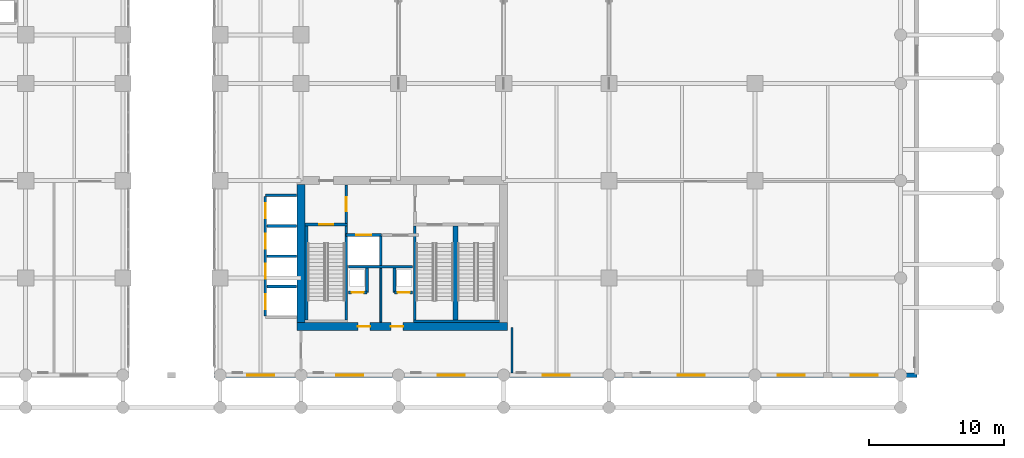
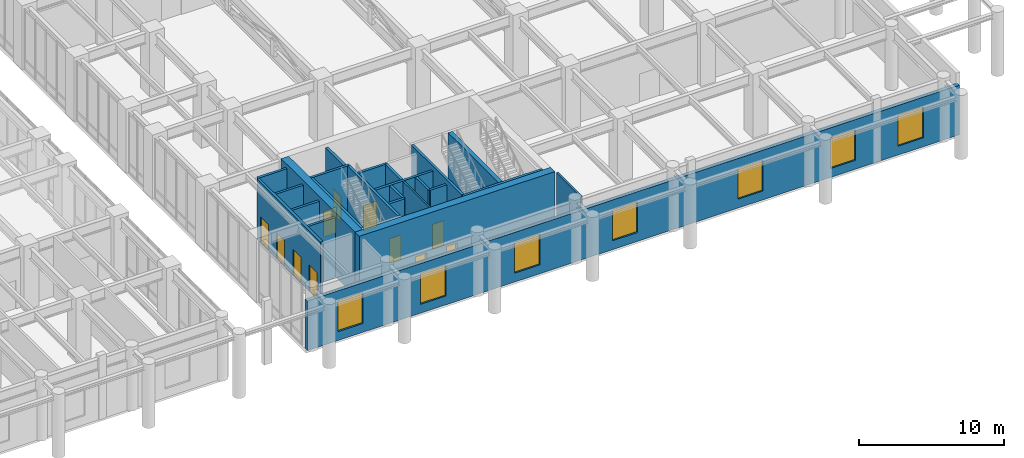
# One storey, part 17 of 24: 24 walls, 11 doors, 7 windows, 18 openings.
"""IFC4 building model written with IfcOpenShell, lengths in metres."""

from ifc_helpers import new_model, si_unit, derived_unit, direction, frame, frame_2d, origin, place, context, subcontext, project, spatial, rectangle, extrude, source, transform, mapped, material, layer, layer_set, type_object, type_shapes, element, fill, save


model = new_model("IFC4")

# Units and contexts
model_context = context("Model", 3, precision=1e-05, world=origin(), true_north=direction((0.0, 1.0)))
body_context = subcontext(model_context, "Body", "Model", "MODEL_VIEW")
ifc_project = project(units=[si_unit("LENGTHUNIT", "METRE"), si_unit("AREAUNIT", "SQUARE_METRE"), si_unit("VOLUMEUNIT", "CUBIC_METRE"), si_unit("PLANEANGLEUNIT", "RADIAN"), si_unit("MASSUNIT", "GRAM", prefix="KILO"), si_unit("THERMODYNAMICTEMPERATUREUNIT", "KELVIN"), si_unit("POWERUNIT", "WATT"), derived_unit("THERMALTRANSMITTANCEUNIT", [(si_unit("POWERUNIT", "WATT"), 1), (si_unit("AREAUNIT", "SQUARE_METRE"), -1), (si_unit("THERMODYNAMICTEMPERATUREUNIT", "KELVIN"), -1)])], contexts=[model_context])

# Site, building, storey
site_placement = place(None, origin())
site = spatial("IfcSite", under=ifc_project, at=site_placement, CompositionType="ELEMENT")
building_placement = place(site_placement, origin())
building = spatial("IfcBuilding", under=site, at=building_placement, Name="Zahravan Archway Hotel and Residences", CompositionType="ELEMENT")
storey_placement = place(building_placement, frame((0.0, 0.0, 10.800048828125)))
storey = spatial("IfcBuildingStorey", under=building, at=storey_placement, Name="L02", CompositionType="ELEMENT", Elevation=10.800048828125)

# Wall, openings, doors
ifc_material_1 = material(Name="Concrete C70/85", Category="concrete")
ifc_layer_1 = layer(ifc_material_1, 0.60009765625, Name="Concrete C70/85", Category="concrete")
ifc_layer_set_1 = layer_set([ifc_layer_1], Name="Concrete C70/85")
wall_type_1 = type_object("IfcWallType", Name="CW-CORE-600", PredefinedType="SHEAR", material=ifc_layer_set_1)
wall_1_placement = place(storey_placement, frame((34.5, 3.60009765625, 0.0), z_axis=(0.0, 0.0, 1.0), x_axis=(1.0, 0.0, 0.0)))
wall_1 = element("IfcWall", 1, at=wall_1_placement, inside=storey, type_object=wall_type_1, Name="L02 Core A Shear S Wall 600 mm", PredefinedType="SHEAR", context=body_context, shape_type="SweptSolid", body=[
    extrude(rectangle(XDim=15.60009765625, YDim=0.60009765625, at=frame_2d((7.800048828125, 0.0))), origin(), (0.0, 0.0, 1.0), 5.39990234375),
])
opening_1_placement = place(wall_1_placement, frame((4.5, 0.0, 0.0)))
opening_1 = element("IfcOpeningElement", 2, at=opening_1_placement, cuts=wall_1, Name="Opening FD-R1", PredefinedType="OPENING", context=body_context, shape_type="SweptSolid", body=[
    extrude(rectangle(XDim=0.89990234375, YDim=2.10009765625, at=frame_2d((0.449951171875, 1.050048828125))), frame((0.0, 0.31005859375, 0.0), z_axis=(0.0, -1.0, 0.0), x_axis=(1.0, 0.0, 0.0)), (0.0, 0.0, 1.0), 0.6201171875),
])
opening_2_placement = place(wall_1_placement, frame((6.949951171875, 0.0, 0.0)))
opening_2 = element("IfcOpeningElement", 3, at=opening_2_placement, cuts=wall_1, Name="Opening FD-R1", PredefinedType="OPENING", context=body_context, shape_type="SweptSolid", body=[
    extrude(rectangle(XDim=0.89990234375, YDim=2.10009765625, at=frame_2d((0.449951171875, 1.050048828125))), frame((0.0, 0.31005859375, 0.0), z_axis=(0.0, -1.0, 0.0), x_axis=(1.0, 0.0, 0.0)), (0.0, 0.0, 1.0), 0.6201171875),
])
ifc_material_2 = material(Name="Fire-Rated Painted Steel", Category="steel")
door_type_1 = type_object("IfcDoorType", Name="FD-RISER-900", OperationType="NOTDEFINED", PredefinedType="DOOR", material=ifc_material_2)
shared_shape_1 = source(origin(), body_context, "Body", "SweptSolid", [
    extrude(rectangle(XDim=0.89990234375, YDim=2.10009765625, at=frame_2d((0.449951171875, 1.050048828125))), frame((0.0, 0.02490234375, 0.0), z_axis=(0.0, -1.0, 0.0), x_axis=(1.0, 0.0, 0.0)), (0.0, 0.0, 1.0), 0.050048828125),
])
type_shapes(door_type_1, [shared_shape_1])
door_1_placement = place(opening_1_placement, origin())
door_1 = element("IfcDoor", 4, at=door_1_placement, inside=storey, type_object=door_type_1, Name="L02 Electrical Switchgear Door", OperationType="SINGLE_SWING_LEFT", OverallHeight=2.10009765625, OverallWidth=0.89990234375, PredefinedType="DOOR", context=body_context, shape_type="MappedRepresentation", body=[
    mapped(shared_shape_1, transform((0.0, 0.0, 0.0), scale=1.0)),
])
fill(opening_1, door_1)
door_2_placement = place(opening_2_placement, origin())
door_2 = element("IfcDoor", 5, at=door_2_placement, inside=storey, type_object=door_type_1, Name="L02 Telecom BMS Door", OperationType="SINGLE_SWING_RIGHT", OverallHeight=2.10009765625, OverallWidth=0.89990234375, PredefinedType="DOOR", context=body_context, shape_type="MappedRepresentation", body=[
    mapped(shared_shape_1, transform((0.0, 0.0, 0.0), scale=1.0)),
])
fill(opening_2, door_2)

# Wall
wall_2_placement = place(storey_placement, frame((34.800048828125, 3.89990234375, 0.0), z_axis=(0.0, 0.0, 1.0), x_axis=(0.0, 1.0, 0.0)))
element("IfcWall", 6, at=wall_2_placement, inside=storey, type_object=wall_type_1, Name="L02 Core A Shear W Wall 600 mm", PredefinedType="SHEAR", context=body_context, shape_type="SweptSolid", body=[
    extrude(rectangle(XDim=10.2001953125, YDim=0.60009765625, at=frame_2d((5.10009765625, 0.0))), origin(), (0.0, 0.0, 1.0), 5.39990234375),
])

# Wall, openings, windows
ifc_material_3 = material(Name="Agra Buff Sandstone & Insulated Backup", Category="masonry")
ifc_layer_2 = layer(ifc_material_3, 0.320068359375, Name="Agra Buff Sandstone & Insulated Backup", Category="masonry")
ifc_layer_set_2 = layer_set([ifc_layer_2], Name="Agra Buff Sandstone & Insulated Backup")
wall_type_2 = type_object("IfcWallType", Name="EW-SAND-320", PredefinedType="SOLIDWALL", material=ifc_layer_set_2)
wall_3_placement = place(storey_placement, frame((28.35009765625, 0.0, 0.0), z_axis=(0.0, 0.0, 1.0), x_axis=(1.0, 0.0, 0.0)))
wall_3 = element("IfcWall", 7, at=wall_3_placement, inside=storey, type_object=wall_type_2, Name="L02 Podium Sandstone SE Wall", PredefinedType="SOLIDWALL", context=body_context, shape_type="SweptSolid", body=[
    extrude(rectangle(XDim=52.0498046875, YDim=0.320068359375, at=frame_2d((26.02490234375, 0.0))), origin(), (0.0, 0.0, 1.0), 4.18505859375),
])
opening_3_placement = place(wall_3_placement, frame((2.449951171875, 0.0, 0.75)))
opening_3 = element("IfcOpeningElement", 8, at=opening_3_placement, cuts=wall_3, Name="Opening W-01", PredefinedType="OPENING", context=body_context, shape_type="SweptSolid", body=[
    extrude(rectangle(XDim=2.0, YDim=2.60009765625, at=frame_2d((1.0, 1.300048828125))), frame((0.0, 0.169921875, 0.0), z_axis=(0.0, -1.0, 0.0), x_axis=(1.0, 0.0, 0.0)), (0.0, 0.0, 1.0), 0.340087890625),
])
opening_4_placement = place(wall_3_placement, frame((9.050048828125, 0.0, 0.75)))
opening_4 = element("IfcOpeningElement", 9, at=opening_4_placement, cuts=wall_3, Name="Opening W-01", PredefinedType="OPENING", context=body_context, shape_type="SweptSolid", body=[
    extrude(rectangle(XDim=2.0, YDim=2.60009765625, at=frame_2d((1.0, 1.300048828125))), frame((0.0, 0.169921875, 0.0), z_axis=(0.0, -1.0, 0.0), x_axis=(1.0, 0.0, 0.0)), (0.0, 0.0, 1.0), 0.340087890625),
])
opening_5_placement = place(wall_3_placement, frame((16.550048828125, 0.0, 0.75)))
opening_5 = element("IfcOpeningElement", 10, at=opening_5_placement, cuts=wall_3, Name="Opening W-01", PredefinedType="OPENING", context=body_context, shape_type="SweptSolid", body=[
    extrude(rectangle(XDim=2.0, YDim=2.60009765625, at=frame_2d((1.0, 1.300048828125))), frame((0.0, 0.169921875, 0.0), z_axis=(0.0, -1.0, 0.0), x_axis=(1.0, 0.0, 0.0)), (0.0, 0.0, 1.0), 0.340087890625),
])
opening_6_placement = place(wall_3_placement, frame((24.35009765625, 0.0, 0.75)))
opening_6 = element("IfcOpeningElement", 11, at=opening_6_placement, cuts=wall_3, Name="Opening W-01", PredefinedType="OPENING", context=body_context, shape_type="SweptSolid", body=[
    extrude(rectangle(XDim=2.0, YDim=2.60009765625, at=frame_2d((1.0, 1.300048828125))), frame((0.0, 0.169921875, 0.0), z_axis=(0.0, -1.0, 0.0), x_axis=(1.0, 0.0, 0.0)), (0.0, 0.0, 1.0), 0.340087890625),
])
opening_7_placement = place(wall_3_placement, frame((34.35009765625, 0.0, 0.75)))
opening_7 = element("IfcOpeningElement", 12, at=opening_7_placement, cuts=wall_3, Name="Opening W-01", PredefinedType="OPENING", context=body_context, shape_type="SweptSolid", body=[
    extrude(rectangle(XDim=2.0, YDim=2.60009765625, at=frame_2d((1.0, 1.300048828125))), frame((0.0, 0.169921875, 0.0), z_axis=(0.0, -1.0, 0.0), x_axis=(1.0, 0.0, 0.0)), (0.0, 0.0, 1.0), 0.340087890625),
])
opening_8_placement = place(wall_3_placement, frame((41.75, 0.0, 0.75)))
opening_8 = element("IfcOpeningElement", 13, at=opening_8_placement, cuts=wall_3, Name="Opening W-01", PredefinedType="OPENING", context=body_context, shape_type="SweptSolid", body=[
    extrude(rectangle(XDim=2.0, YDim=2.60009765625, at=frame_2d((1.0, 1.300048828125))), frame((0.0, 0.169921875, 0.0), z_axis=(0.0, -1.0, 0.0), x_axis=(1.0, 0.0, 0.0)), (0.0, 0.0, 1.0), 0.340087890625),
])
opening_9_placement = place(wall_3_placement, frame((47.14990234375, 0.0, 0.75)))
opening_9 = element("IfcOpeningElement", 14, at=opening_9_placement, cuts=wall_3, Name="Opening W-01", PredefinedType="OPENING", context=body_context, shape_type="SweptSolid", body=[
    extrude(rectangle(XDim=2.0, YDim=2.60009765625, at=frame_2d((1.0, 1.300048828125))), frame((0.0, 0.169921875, 0.0), z_axis=(0.0, -1.0, 0.0), x_axis=(1.0, 0.0, 0.0)), (0.0, 0.0, 1.0), 0.340087890625),
])
ifc_material_4 = material(Name="Bronze-Anodized Thermal-Break Aluminium & Low-E Glass", Category="aluminium")
window_type = type_object("IfcWindowType", Name="WIN-ARC-2000", PartitioningType="DOUBLE_PANEL_VERTICAL", PredefinedType="WINDOW", material=ifc_material_4)
shared_shape_2 = source(origin(), body_context, "Body", "SweptSolid", [
    extrude(rectangle(XDim=2.0, YDim=2.60009765625, at=frame_2d((1.0, 1.300048828125))), frame((0.0, 0.030029296875, 0.0), z_axis=(0.0, -1.0, 0.0), x_axis=(1.0, 0.0, 0.0)), (0.0, 0.0, 1.0), 0.06005859375),
])
type_shapes(window_type, [shared_shape_2])
window_1_placement = place(opening_3_placement, origin())
window_1 = element("IfcWindow", 15, at=window_1_placement, inside=storey, type_object=window_type, Name="L02 Podium Mughal Arch Window 05", OverallHeight=2.60009765625, OverallWidth=2.0, PartitioningType="DOUBLE_PANEL_VERTICAL", PredefinedType="WINDOW", context=body_context, shape_type="MappedRepresentation", body=[
    mapped(shared_shape_2, transform((0.0, 0.0, 0.0), scale=1.0)),
])
fill(opening_3, window_1)
window_2_placement = place(opening_4_placement, origin())
window_2 = element("IfcWindow", 16, at=window_2_placement, inside=storey, type_object=window_type, Name="L02 Podium Mughal Arch Window 06", OverallHeight=2.60009765625, OverallWidth=2.0, PartitioningType="DOUBLE_PANEL_VERTICAL", PredefinedType="WINDOW", context=body_context, shape_type="MappedRepresentation", body=[
    mapped(shared_shape_2, transform((0.0, 0.0, 0.0), scale=1.0)),
])
fill(opening_4, window_2)
window_3_placement = place(opening_5_placement, origin())
window_3 = element("IfcWindow", 17, at=window_3_placement, inside=storey, type_object=window_type, Name="L02 Podium Mughal Arch Window 07", OverallHeight=2.60009765625, OverallWidth=2.0, PartitioningType="DOUBLE_PANEL_VERTICAL", PredefinedType="WINDOW", context=body_context, shape_type="MappedRepresentation", body=[
    mapped(shared_shape_2, transform((0.0, 0.0, 0.0), scale=1.0)),
])
fill(opening_5, window_3)
window_4_placement = place(opening_6_placement, origin())
window_4 = element("IfcWindow", 18, at=window_4_placement, inside=storey, type_object=window_type, Name="L02 Podium Mughal Arch Window 08", OverallHeight=2.60009765625, OverallWidth=2.0, PartitioningType="DOUBLE_PANEL_VERTICAL", PredefinedType="WINDOW", context=body_context, shape_type="MappedRepresentation", body=[
    mapped(shared_shape_2, transform((0.0, 0.0, 0.0), scale=1.0)),
])
fill(opening_6, window_4)
window_5_placement = place(opening_7_placement, origin())
window_5 = element("IfcWindow", 19, at=window_5_placement, inside=storey, type_object=window_type, Name="L02 Podium Mughal Arch Window 09", OverallHeight=2.60009765625, OverallWidth=2.0, PartitioningType="DOUBLE_PANEL_VERTICAL", PredefinedType="WINDOW", context=body_context, shape_type="MappedRepresentation", body=[
    mapped(shared_shape_2, transform((0.0, 0.0, 0.0), scale=1.0)),
])
fill(opening_7, window_5)
window_6_placement = place(opening_8_placement, origin())
window_6 = element("IfcWindow", 20, at=window_6_placement, inside=storey, type_object=window_type, Name="L02 Podium Mughal Arch Window 10", OverallHeight=2.60009765625, OverallWidth=2.0, PartitioningType="DOUBLE_PANEL_VERTICAL", PredefinedType="WINDOW", context=body_context, shape_type="MappedRepresentation", body=[
    mapped(shared_shape_2, transform((0.0, 0.0, 0.0), scale=1.0)),
])
fill(opening_8, window_6)
window_7_placement = place(opening_9_placement, origin())
window_7 = element("IfcWindow", 21, at=window_7_placement, inside=storey, type_object=window_type, Name="L02 Podium Mughal Arch Window 11", OverallHeight=2.60009765625, OverallWidth=2.0, PartitioningType="DOUBLE_PANEL_VERTICAL", PredefinedType="WINDOW", context=body_context, shape_type="MappedRepresentation", body=[
    mapped(shared_shape_2, transform((0.0, 0.0, 0.0), scale=1.0)),
])
fill(opening_9, window_7)

# Wall, opening, door
ifc_material_5 = material(Name="Fire-Rated Gypsum & Concrete Block", Category="concrete")
ifc_layer_3 = layer(ifc_material_5, 0.219970703125, Name="Fire-Rated Gypsum & Concrete Block", Category="concrete")
ifc_layer_set_3 = layer_set([ifc_layer_3], Name="Fire-Rated Gypsum & Concrete Block")
wall_type_3 = type_object("IfcWallType", Name="PW-COMP-220", PredefinedType="PARTITIONING", material=ifc_layer_set_3)
wall_4_placement = place(storey_placement, frame((38.139892578125, 11.219970703125, 0.0), z_axis=(0.0, 0.0, 1.0), x_axis=(0.0, 1.0, 0.0)))
wall_4 = element("IfcWall", 22, at=wall_4_placement, inside=storey, type_object=wall_type_3, Name="L02 Partition CA-LOBW", PredefinedType="PARTITIONING", context=body_context, shape_type="SweptSolid", body=[
    extrude(rectangle(XDim=2.860107421875, YDim=0.219970703125, at=frame_2d((1.43017578125, 0.0))), origin(), (0.0, 0.0, 1.0), 5.099853515625),
])
opening_10_placement = place(wall_4_placement, frame((0.905029296875, 0.0, 0.0)))
opening_10 = element("IfcOpeningElement", 23, at=opening_10_placement, cuts=wall_4, Name="Opening FD-L2", PredefinedType="OPENING", context=body_context, shape_type="SweptSolid", body=[
    extrude(rectangle(XDim=1.050048828125, YDim=2.14990234375, at=frame_2d((0.52490234375, 1.074951171875))), frame((0.0, 0.1201171875, 0.0), z_axis=(0.0, -1.0, 0.0), x_axis=(1.0, 0.0, 0.0)), (0.0, 0.0, 1.0), 0.239990234375),
])
door_type_2 = type_object("IfcDoorType", Name="FD-LOBBY-1100", OperationType="NOTDEFINED", PredefinedType="DOOR", material=ifc_material_2)
shared_shape_3 = source(origin(), body_context, "Body", "SweptSolid", [
    extrude(rectangle(XDim=1.050048828125, YDim=2.14990234375, at=frame_2d((0.52490234375, 1.074951171875))), frame((0.0, 0.02490234375, 0.0), z_axis=(0.0, -1.0, 0.0), x_axis=(1.0, 0.0, 0.0)), (0.0, 0.0, 1.0), 0.050048828125),
])
type_shapes(door_type_2, [shared_shape_3])
door_3_placement = place(opening_10_placement, origin())
door_3 = element("IfcDoor", 24, at=door_3_placement, inside=storey, type_object=door_type_2, Name="L02 Core A West Stair to FSAE Lobby Door", OperationType="SINGLE_SWING_LEFT", OverallHeight=2.14990234375, OverallWidth=1.050048828125, PredefinedType="DOOR", context=body_context, shape_type="MappedRepresentation", body=[
    mapped(shared_shape_3, transform((0.0, 0.0, 0.0), scale=1.0)),
])
fill(opening_10, door_3)

# Walls
ifc_layer_4 = layer(ifc_material_5, 0.159912109375, Name="Fire-Rated Gypsum & Concrete Block", Category="concrete")
ifc_layer_set_4 = layer_set([ifc_layer_4], Name="Fire-Rated Gypsum & Concrete Block")
wall_type_4 = type_object("IfcWallType", Name="PW-CORR-160", PredefinedType="PARTITIONING", material=ifc_layer_set_4)
wall_5_placement = place(storey_placement, frame((50.419921875, 0.16796875, 0.0), z_axis=(0.0, 0.0, 1.0), x_axis=(0.0, 1.0, 0.0)))
element("IfcWall", 25, at=wall_5_placement, inside=storey, type_object=wall_type_4, Name="L02 Partition L02-CASE", PredefinedType="PARTITIONING", context=body_context, shape_type="SweptSolid", body=[
    extrude(rectangle(XDim=3.342041015625, YDim=0.159912109375, at=frame_2d((1.6708984375, 0.0))), origin(), (0.0, 0.0, 1.0), 5.099853515625),
])
ifc_layer_5 = layer(ifc_material_5, 0.199951171875, Name="Fire-Rated Gypsum & Concrete Block", Category="concrete")
ifc_layer_set_5 = layer_set([ifc_layer_5], Name="Fire-Rated Gypsum & Concrete Block")
wall_type_5 = type_object("IfcWallType", Name="PW-SHAFT-200", PredefinedType="PARTITIONING", material=ifc_layer_set_5)
wall_6_placement = place(storey_placement, frame((38.300048828125, 8.030029296875, 0.0), z_axis=(0.0, 0.0, 1.0), x_axis=(1.0, 0.0, 0.0)))
element("IfcWall", 26, at=wall_6_placement, inside=storey, type_object=wall_type_5, Name="L02 Partition CA-FLS", PredefinedType="PARTITIONING", context=body_context, shape_type="SweptSolid", body=[
    extrude(rectangle(XDim=4.739990234375, YDim=0.199951171875, at=frame_2d((2.3701171875, 0.0))), origin(), (0.0, 0.0, 1.0), 5.099853515625),
])
wall_7_placement = place(storey_placement, frame((40.699951171875, 8.1201171875, 0.0), z_axis=(0.0, 0.0, 1.0), x_axis=(0.0, 1.0, 0.0)))
element("IfcWall", 27, at=wall_7_placement, inside=storey, type_object=wall_type_5, Name="L02 Partition CA-FLM", PredefinedType="PARTITIONING", context=body_context, shape_type="SweptSolid", body=[
    extrude(rectangle(XDim=2.179931640625, YDim=0.199951171875, at=frame_2d((1.08984375, 0.0))), origin(), (0.0, 0.0, 1.0), 5.099853515625),
])

# Wall, opening, door
wall_8_placement = place(storey_placement, frame((38.2900390625, 6.1201171875, 0.0), z_axis=(0.0, 0.0, 1.0), x_axis=(1.0, 0.0, 0.0)))
wall_8 = element("IfcWall", 28, at=wall_8_placement, inside=storey, type_object=wall_type_5, Name="L02 Partition CA-SMKS", PredefinedType="PARTITIONING", context=body_context, shape_type="SweptSolid", body=[
    extrude(rectangle(XDim=1.3798828125, YDim=0.199951171875, at=frame_2d((0.68994140625, 0.0))), origin(), (0.0, 0.0, 1.0), 5.099853515625),
])
opening_11_placement = place(wall_8_placement, frame((0.239990234375, 0.0, 0.0)))
opening_11 = element("IfcOpeningElement", 29, at=opening_11_placement, cuts=wall_8, Name="Opening FD-R1", PredefinedType="OPENING", context=body_context, shape_type="SweptSolid", body=[
    extrude(rectangle(XDim=0.89990234375, YDim=2.10009765625, at=frame_2d((0.449951171875, 1.050048828125))), frame((0.0, 0.10986328125, 0.0), z_axis=(0.0, -1.0, 0.0), x_axis=(1.0, 0.0, 0.0)), (0.0, 0.0, 1.0), 0.219970703125),
])
door_4_placement = place(opening_11_placement, origin())
door_4 = element("IfcDoor", 30, at=door_4_placement, inside=storey, type_object=door_type_1, Name="L02 Smoke Riser Access Door", OperationType="SINGLE_SWING_LEFT", OverallHeight=2.10009765625, OverallWidth=0.89990234375, PredefinedType="DOOR", context=body_context, shape_type="MappedRepresentation", body=[
    mapped(shared_shape_1, transform((0.0, 0.0, 0.0), scale=1.0)),
])
fill(opening_11, door_4)

# Wall
wall_9_placement = place(storey_placement, frame((39.679931640625, 6.1298828125, 0.0), z_axis=(0.0, 0.0, 1.0), x_axis=(0.0, 1.0, 0.0)))
element("IfcWall", 31, at=wall_9_placement, inside=storey, type_object=wall_type_5, Name="L02 Partition CA-SMKE", PredefinedType="PARTITIONING", context=body_context, shape_type="SweptSolid", body=[
    extrude(rectangle(XDim=1.7900390625, YDim=0.199951171875, at=frame_2d((0.89501953125, 0.0))), origin(), (0.0, 0.0, 1.0), 5.099853515625),
])

# Wall, opening, door
wall_10_placement = place(storey_placement, frame((41.72998046875, 6.1201171875, 0.0), z_axis=(0.0, 0.0, 1.0), x_axis=(1.0, 0.0, 0.0)))
wall_10 = element("IfcWall", 32, at=wall_10_placement, inside=storey, type_object=wall_type_5, Name="L02 Partition CA-MEPS", PredefinedType="PARTITIONING", context=body_context, shape_type="SweptSolid", body=[
    extrude(rectangle(XDim=1.320068359375, YDim=0.199951171875, at=frame_2d((0.66015625, 0.0))), origin(), (0.0, 0.0, 1.0), 5.099853515625),
])
opening_12_placement = place(wall_10_placement, frame((0.219970703125, 0.0, 0.0)))
opening_12 = element("IfcOpeningElement", 33, at=opening_12_placement, cuts=wall_10, Name="Opening FD-R1", PredefinedType="OPENING", context=body_context, shape_type="SweptSolid", body=[
    extrude(rectangle(XDim=0.89990234375, YDim=2.10009765625, at=frame_2d((0.449951171875, 1.050048828125))), frame((0.0, 0.10986328125, 0.0), z_axis=(0.0, -1.0, 0.0), x_axis=(1.0, 0.0, 0.0)), (0.0, 0.0, 1.0), 0.219970703125),
])
door_5_placement = place(opening_12_placement, origin())
door_5 = element("IfcDoor", 34, at=door_5_placement, inside=storey, type_object=door_type_1, Name="L02 MEP Riser Access Door", OperationType="SINGLE_SWING_RIGHT", OverallHeight=2.10009765625, OverallWidth=0.89990234375, PredefinedType="DOOR", context=body_context, shape_type="MappedRepresentation", body=[
    mapped(shared_shape_1, transform((0.0, 0.0, 0.0), scale=1.0)),
])
fill(opening_12, door_5)

# Walls
wall_11_placement = place(storey_placement, frame((41.719970703125, 6.1298828125, 0.0), z_axis=(0.0, 0.0, 1.0), x_axis=(0.0, 1.0, 0.0)))
element("IfcWall", 35, at=wall_11_placement, inside=storey, type_object=wall_type_5, Name="L02 Partition CA-MEPW", PredefinedType="PARTITIONING", context=body_context, shape_type="SweptSolid", body=[
    extrude(rectangle(XDim=1.7900390625, YDim=0.199951171875, at=frame_2d((0.89501953125, 0.0))), origin(), (0.0, 0.0, 1.0), 5.099853515625),
])
wall_12_placement = place(storey_placement, frame((32.159912109375, 13.320068359375, 0.0), z_axis=(0.0, 0.0, 1.0), x_axis=(1.0, 0.0, 0.0)))
element("IfcWall", 36, at=wall_12_placement, inside=storey, type_object=wall_type_5, Name="L02 Partition B3-N", PredefinedType="PARTITIONING", context=body_context, shape_type="SweptSolid", body=[
    extrude(rectangle(XDim=2.31005859375, YDim=0.199951171875, at=frame_2d((1.155029296875, 0.0))), origin(), (0.0, 0.0, 1.0), 5.099853515625),
])

# Wall, openings, doors
wall_13_placement = place(storey_placement, frame((32.14990234375, 4.389892578125, 0.0), z_axis=(0.0, 0.0, 1.0), x_axis=(0.0, 1.0, 0.0)))
wall_13 = element("IfcWall", 37, at=wall_13_placement, inside=storey, type_object=wall_type_5, Name="L02 Partition B3-W", PredefinedType="PARTITIONING", context=body_context, shape_type="SweptSolid", body=[
    extrude(rectangle(XDim=8.820068359375, YDim=0.199951171875, at=frame_2d((4.41015625, 0.0))), origin(), (0.0, 0.0, 1.0), 5.099853515625),
])
opening_13_placement = place(wall_13_placement, frame((0.5, 0.0, 0.0)))
opening_13 = element("IfcOpeningElement", 38, at=opening_13_placement, cuts=wall_13, Name="Opening LD", PredefinedType="OPENING", context=body_context, shape_type="SweptSolid", body=[
    extrude(rectangle(XDim=1.10009765625, YDim=2.199951171875, at=frame_2d((0.550048828125, 1.10009765625))), frame((0.0, 0.10986328125, 0.0), z_axis=(0.0, -1.0, 0.0), x_axis=(1.0, 0.0, 0.0)), (0.0, 0.0, 1.0), 0.219970703125),
])
opening_14_placement = place(wall_13_placement, frame((2.739990234375, 0.0, 0.0)))
opening_14 = element("IfcOpeningElement", 39, at=opening_14_placement, cuts=wall_13, Name="Opening LD", PredefinedType="OPENING", context=body_context, shape_type="SweptSolid", body=[
    extrude(rectangle(XDim=1.10009765625, YDim=2.199951171875, at=frame_2d((0.550048828125, 1.10009765625))), frame((0.0, 0.10986328125, 0.0), z_axis=(0.0, -1.0, 0.0), x_axis=(1.0, 0.0, 0.0)), (0.0, 0.0, 1.0), 0.219970703125),
])
opening_15_placement = place(wall_13_placement, frame((4.97998046875, 0.0, 0.0)))
opening_15 = element("IfcOpeningElement", 40, at=opening_15_placement, cuts=wall_13, Name="Opening LD", PredefinedType="OPENING", context=body_context, shape_type="SweptSolid", body=[
    extrude(rectangle(XDim=1.10009765625, YDim=2.199951171875, at=frame_2d((0.550048828125, 1.10009765625))), frame((0.0, 0.10986328125, 0.0), z_axis=(0.0, -1.0, 0.0), x_axis=(1.0, 0.0, 0.0)), (0.0, 0.0, 1.0), 0.219970703125),
])
opening_16_placement = place(wall_13_placement, frame((7.219970703125, 0.0, 0.0)))
opening_16 = element("IfcOpeningElement", 41, at=opening_16_placement, cuts=wall_13, Name="Opening LD", PredefinedType="OPENING", context=body_context, shape_type="SweptSolid", body=[
    extrude(rectangle(XDim=1.10009765625, YDim=2.199951171875, at=frame_2d((0.550048828125, 1.10009765625))), frame((0.0, 0.10986328125, 0.0), z_axis=(0.0, -1.0, 0.0), x_axis=(1.0, 0.0, 0.0)), (0.0, 0.0, 1.0), 0.219970703125),
])
ifc_material_6 = material(Name="Brushed Stainless Steel", Category="steel")
door_type_3 = type_object("IfcDoorType", Name="DR-LIFT-LD", OperationType="SLIDING_TO_LEFT", PredefinedType="DOOR", material=ifc_material_6)
shared_shape_4 = source(origin(), body_context, "Body", "SweptSolid", [
    extrude(rectangle(XDim=1.10009765625, YDim=2.199951171875, at=frame_2d((0.550048828125, 1.10009765625))), frame((0.0, 0.02490234375, 0.0), z_axis=(0.0, -1.0, 0.0), x_axis=(1.0, 0.0, 0.0)), (0.0, 0.0, 1.0), 0.050048828125),
])
type_shapes(door_type_3, [shared_shape_4])
door_6_placement = place(opening_13_placement, origin())
door_6 = element("IfcDoor", 42, at=door_6_placement, inside=storey, type_object=door_type_3, Name="L02 Lift LP-7 Sliding Landing Door", OperationType="SLIDING_TO_LEFT", OverallHeight=2.199951171875, OverallWidth=1.10009765625, PredefinedType="DOOR", context=body_context, shape_type="MappedRepresentation", body=[
    mapped(shared_shape_4, transform((0.0, 0.0, 0.0), scale=1.0)),
])
fill(opening_13, door_6)
door_7_placement = place(opening_14_placement, origin())
door_7 = element("IfcDoor", 43, at=door_7_placement, inside=storey, type_object=door_type_3, Name="L02 Lift LP-8 Sliding Landing Door", OperationType="SLIDING_TO_LEFT", OverallHeight=2.199951171875, OverallWidth=1.10009765625, PredefinedType="DOOR", context=body_context, shape_type="MappedRepresentation", body=[
    mapped(shared_shape_4, transform((0.0, 0.0, 0.0), scale=1.0)),
])
fill(opening_14, door_7)
door_8_placement = place(opening_15_placement, origin())
door_8 = element("IfcDoor", 44, at=door_8_placement, inside=storey, type_object=door_type_3, Name="L02 Lift LP-9 Sliding Landing Door", OperationType="SLIDING_TO_LEFT", OverallHeight=2.199951171875, OverallWidth=1.10009765625, PredefinedType="DOOR", context=body_context, shape_type="MappedRepresentation", body=[
    mapped(shared_shape_4, transform((0.0, 0.0, 0.0), scale=1.0)),
])
fill(opening_15, door_8)
door_9_placement = place(opening_16_placement, origin())
door_9 = element("IfcDoor", 45, at=door_9_placement, inside=storey, type_object=door_type_3, Name="L02 Lift LP-10 Sliding Landing Door", OperationType="SLIDING_TO_LEFT", OverallHeight=2.199951171875, OverallWidth=1.10009765625, PredefinedType="DOOR", context=body_context, shape_type="MappedRepresentation", body=[
    mapped(shared_shape_4, transform((0.0, 0.0, 0.0), scale=1.0)),
])
fill(opening_16, door_9)

# Walls
for number, where, z_axis, x_axis, name in (
    (46, (32.260009765625, 6.56005859375, 0.0), (0.0, 0.0, 1.0), (1.0, 0.0, 0.0), "L02 Partition B3-D"),
    (47, (32.260009765625, 8.800048828125, 0.0), (0.0, 0.0, 1.0), (1.0, 0.0, 0.0), "L02 Partition B3-D"),
    (48, (32.260009765625, 11.0400390625, 0.0), (0.0, 0.0, 1.0), (1.0, 0.0, 0.0), "L02 Partition B3-D"),
):
    element("IfcWall", number, at=place(storey_placement, frame(where, z_axis=z_axis, x_axis=x_axis)), inside=storey, type_object=wall_type_5, Name=name, PredefinedType="PARTITIONING", context=body_context, shape_type="SweptSolid", body=[
        extrude(rectangle(XDim=2.179931640625, YDim=0.199951171875, at=frame_2d((1.08984375, 0.0))), origin(), (0.0, 0.0, 1.0), 5.099853515625),
    ])

# Wall, opening, door
wall_14_placement = place(storey_placement, frame((38.1201171875, 10.3701171875, 0.0), z_axis=(0.0, 0.0, 1.0), x_axis=(1.0, 0.0, 0.0)))
wall_14 = element("IfcWall", 49, at=wall_14_placement, inside=storey, type_object=wall_type_5, Name="L02 Lift FL-1 Front Wall", PredefinedType="PARTITIONING", context=body_context, shape_type="SweptSolid", body=[
    extrude(rectangle(XDim=2.639892578125, YDim=0.199951171875, at=frame_2d((1.31982421875, 0.0))), origin(), (0.0, 0.0, 1.0), 5.099853515625),
])
opening_17_placement = place(wall_14_placement, frame((0.77001953125, 0.0, 0.0)))
opening_17 = element("IfcOpeningElement", 50, at=opening_17_placement, cuts=wall_14, Name="Opening LD", PredefinedType="OPENING", context=body_context, shape_type="SweptSolid", body=[
    extrude(rectangle(XDim=1.10009765625, YDim=2.199951171875, at=frame_2d((0.550048828125, 1.10009765625))), frame((0.0, 0.10986328125, 0.0), z_axis=(0.0, -1.0, 0.0), x_axis=(1.0, 0.0, 0.0)), (0.0, 0.0, 1.0), 0.219970703125),
])
door_10_placement = place(opening_17_placement, origin())
door_10 = element("IfcDoor", 51, at=door_10_placement, inside=storey, type_object=door_type_3, Name="L02 Lift FL-1 Sliding Landing Door", OperationType="SLIDING_TO_LEFT", OverallHeight=2.199951171875, OverallWidth=1.10009765625, PredefinedType="DOOR", context=body_context, shape_type="MappedRepresentation", body=[
    mapped(shared_shape_4, transform((0.0, 0.0, 0.0), scale=1.0)),
])
fill(opening_17, door_10)

# Walls
ifc_material_7 = material(Name="Moisture-Resistant Blockwork", Category="masonry")
ifc_layer_6 = layer(ifc_material_7, 0.139892578125, Name="Moisture-Resistant Blockwork", Category="masonry")
ifc_layer_set_6 = layer_set([ifc_layer_6], Name="Moisture-Resistant Blockwork")
wall_type_6 = type_object("IfcWallType", Name="PW-WET-140", PredefinedType="PARTITIONING", material=ifc_layer_set_6)
wall_15_placement = place(storey_placement, frame((40.699951171875, 3.919921875, 0.0), z_axis=(0.0, 0.0, 1.0), x_axis=(0.0, 1.0, 0.0)))
element("IfcWall", 52, at=wall_15_placement, inside=storey, type_object=wall_type_6, Name="L02 Partition CA-CV0", PredefinedType="PARTITIONING", context=body_context, shape_type="SweptSolid", body=[
    extrude(rectangle(XDim=3.989990234375, YDim=0.139892578125, at=frame_2d((1.9951171875, 0.0))), origin(), (0.0, 0.0, 1.0), 5.099853515625),
])
ifc_material_8 = material(Name="Concrete C50/60", Category="concrete")
ifc_layer_7 = layer(ifc_material_8, 0.199951171875, Name="Concrete C50/60", Category="concrete")
ifc_layer_set_7 = layer_set([ifc_layer_7], Name="Concrete C50/60")
wall_type_7 = type_object("IfcWallType", Name="SW-STAIR-200", PredefinedType="SHEAR", material=ifc_layer_set_7)
for number, where, z_axis, x_axis, name in (
    (53, (35.199951171875, 4.10009765625, 0.0), (0.0, 0.0, 1.0), (0.0, 1.0, 0.0), "L02 Stairwell RC Wall CA-SA1W"),
    (54, (38.139892578125, 4.10009765625, 0.0), (0.0, 0.0, 1.0), (0.0, 1.0, 0.0), "L02 Stairwell RC Wall CA-SA1E"),
):
    element("IfcWall", number, at=place(storey_placement, frame(where, z_axis=z_axis, x_axis=x_axis)), inside=storey, type_object=wall_type_7, Name=name, PredefinedType="SHEAR", context=body_context, shape_type="SweptSolid", body=[
        extrude(rectangle(XDim=6.949951171875, YDim=0.199951171875, at=frame_2d((3.47509765625, 0.0))), origin(), (0.0, 0.0, 1.0), 5.39990234375),
    ])

# Wall, opening, door
wall_16_placement = place(storey_placement, frame((35.10009765625, 11.14990234375, 0.0), z_axis=(0.0, 0.0, 1.0), x_axis=(1.0, 0.0, 0.0)))
wall_16 = element("IfcWall", 55, at=wall_16_placement, inside=storey, type_object=wall_type_7, Name="L02 Stairwell RC Wall CA-SA1N", PredefinedType="SHEAR", context=body_context, shape_type="SweptSolid", body=[
    extrude(rectangle(XDim=3.139892578125, YDim=0.199951171875, at=frame_2d((1.56982421875, 0.0))), origin(), (0.0, 0.0, 1.0), 5.39990234375),
])
opening_18_placement = place(wall_16_placement, frame((1.044921875, 0.0, 0.0)))
opening_18 = element("IfcOpeningElement", 56, at=opening_18_placement, cuts=wall_16, Name="Opening FD-S1", PredefinedType="OPENING", context=body_context, shape_type="SweptSolid", body=[
    extrude(rectangle(XDim=1.050048828125, YDim=2.199951171875, at=frame_2d((0.52490234375, 1.10009765625))), frame((0.0, 0.10986328125, 0.0), z_axis=(0.0, -1.0, 0.0), x_axis=(1.0, 0.0, 0.0)), (0.0, 0.0, 1.0), 0.219970703125),
])
door_type_4 = type_object("IfcDoorType", Name="FD-STAIR-1100", OperationType="NOTDEFINED", PredefinedType="DOOR", material=ifc_material_2)
shared_shape_5 = source(origin(), body_context, "Body", "SweptSolid", [
    extrude(rectangle(XDim=1.050048828125, YDim=2.199951171875, at=frame_2d((0.52490234375, 1.10009765625))), frame((0.0, 0.02490234375, 0.0), z_axis=(0.0, -1.0, 0.0), x_axis=(1.0, 0.0, 0.0)), (0.0, 0.0, 1.0), 0.050048828125),
])
type_shapes(door_type_4, [shared_shape_5])
door_11_placement = place(opening_18_placement, origin())
door_11 = element("IfcDoor", 57, at=door_11_placement, inside=storey, type_object=door_type_4, Name="L02 Stair ST-A1 Door", OperationType="SINGLE_SWING_RIGHT", OverallHeight=2.199951171875, OverallWidth=1.050048828125, PredefinedType="DOOR", context=body_context, shape_type="MappedRepresentation", body=[
    mapped(shared_shape_5, transform((0.0, 0.0, 0.0), scale=1.0)),
])
fill(opening_18, door_11)

# Walls
wall_17_placement = place(storey_placement, frame((43.1201171875, 4.0, 0.0), z_axis=(0.0, 0.0, 1.0), x_axis=(1.0, 0.0, 0.0)))
element("IfcWall", 58, at=wall_17_placement, inside=storey, type_object=wall_type_7, Name="L02 Stairwell RC Wall CA-SA23S", PredefinedType="SHEAR", context=body_context, shape_type="SweptSolid", body=[
    extrude(rectangle(XDim=6.3798828125, YDim=0.199951171875, at=frame_2d((3.18994140625, 0.0))), origin(), (0.0, 0.0, 1.0), 5.39990234375),
])
wall_18_placement = place(storey_placement, frame((43.219970703125, 4.10009765625, 0.0), z_axis=(0.0, 0.0, 1.0), x_axis=(0.0, 1.0, 0.0)))
element("IfcWall", 59, at=wall_18_placement, inside=storey, type_object=wall_type_7, Name="L02 Stairwell RC Wall CA-SA2W", PredefinedType="SHEAR", context=body_context, shape_type="SweptSolid", body=[
    extrude(rectangle(XDim=6.949951171875, YDim=0.199951171875, at=frame_2d((3.47509765625, 0.0))), origin(), (0.0, 0.0, 1.0), 5.39990234375),
])
ifc_layer_8 = layer(ifc_material_8, 0.340087890625, Name="Concrete C50/60", Category="concrete")
ifc_layer_set_8 = layer_set([ifc_layer_8], Name="Concrete C50/60")
wall_type_8 = type_object("IfcWallType", Name="SW-STAIR-340", PredefinedType="SHEAR", material=ifc_layer_set_8)
wall_19_placement = place(storey_placement, frame((46.22998046875, 4.10009765625, 0.0), z_axis=(0.0, 0.0, 1.0), x_axis=(0.0, 1.0, 0.0)))
element("IfcWall", 60, at=wall_19_placement, inside=storey, type_object=wall_type_8, Name="L02 Stairwell RC Wall CA-SA23M", PredefinedType="SHEAR", context=body_context, shape_type="SweptSolid", body=[
    extrude(rectangle(XDim=6.949951171875, YDim=0.340087890625, at=frame_2d((3.47509765625, 0.0))), origin(), (0.0, 0.0, 1.0), 5.39990234375),
])

save(model, "model.ifc")
